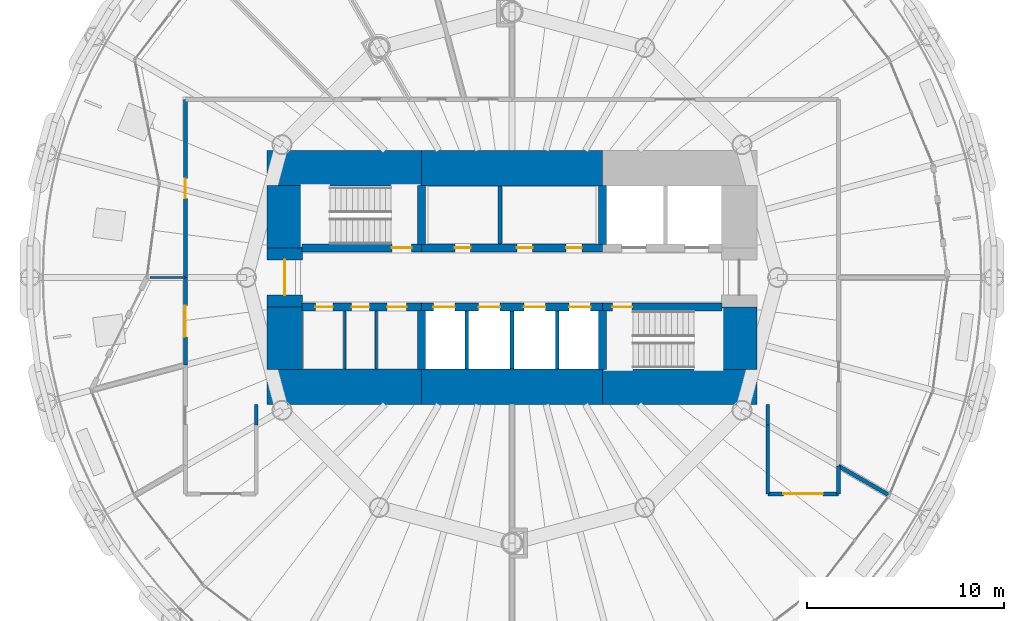
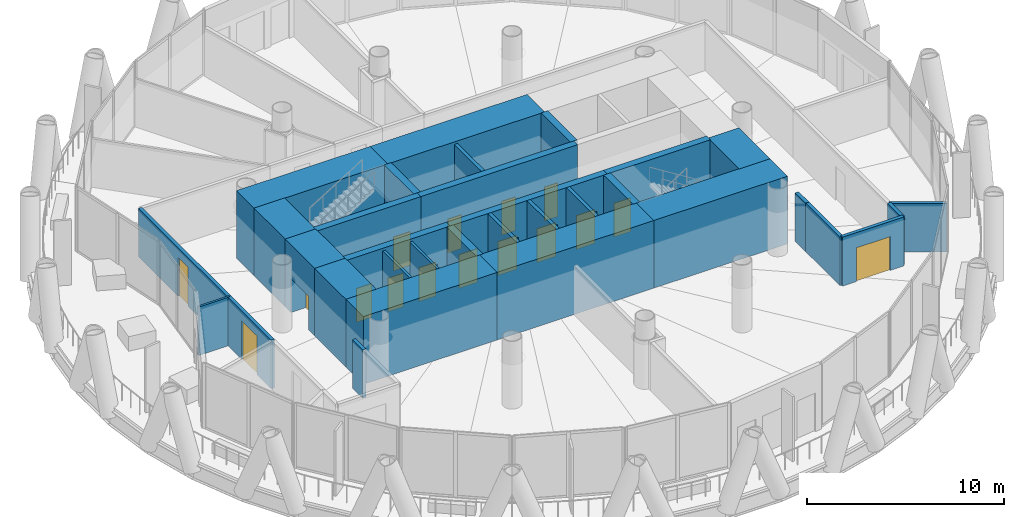
# One storey, part 10 of 16: 33 walls, 16 doors, 16 openings.
"""IFC4 building model written with IfcOpenShell, lengths in metres."""

import ifcopenshell
import ifcopenshell.guid

model = None  # the IFC model being written
_history = None  # IfcOwnerHistory: only IFC2X3 demands one
_inside = {}  # id of a spatial element -> (the spatial element, [elements in it])
_under = {}  # id of a project, library or spatial element -> (it, [spatial elements below it])
_declared = {}  # id of a project -> (the project, [libraries it declares])
_typed = {}  # id of a type object -> (the type object, [elements of that type])
_made_of = {}  # id of a material, layer set ... -> (it, [elements and type objects made of it])


def new_model(schema):
    """Start an empty IFC model of exactly this schema.

    Asked for "IFC4X3", IfcOpenShell would pick the latest addendum, in which some entities
    have other attributes; the version numbers below select the first issue.
    IFC2X3 requires an IfcOwnerHistory on every rooted entity: one is made here for all.
    """
    global model, _history
    if schema == "IFC4X3":
        model = ifcopenshell.file(schema_version=(4, 3, 0, 0))
    else:
        model = ifcopenshell.file(schema=schema)
    _inside.clear()
    _under.clear()
    _declared.clear()
    _typed.clear()
    _made_of.clear()
    _history = None
    if model.schema == "IFC2X3":
        org = make("IfcOrganization", Name="unknown")
        user = make(
            "IfcPersonAndOrganization",
            ThePerson=make("IfcPerson", FamilyName="unknown"),
            TheOrganization=org,
        )
        app = make(
            "IfcApplication",
            ApplicationDeveloper=org,
            Version="unknown",
            ApplicationFullName="unknown",
            ApplicationIdentifier="unknown",
        )
        _history = make(
            "IfcOwnerHistory",
            OwningUser=user,
            OwningApplication=app,
            ChangeAction="ADDED",
            CreationDate=0,
        )
    return model


def make(cls, **values):
    """One entity of the class cls with the attributes given. An attribute that is None is left unset."""
    return model.create_entity(
        cls, **{name: value for name, value in values.items() if value is not None}
    )


def rooted(cls, **values):
    """An entity with a GlobalId (a new one), such as an element, a storey or a relation."""
    return make(cls, GlobalId=ifcopenshell.guid.new(), OwnerHistory=_history, **values)


def si_unit(unit_type, name, prefix=None):
    """IfcSIUnit, for example si_unit("LENGTHUNIT", "METRE", prefix="MILLI")."""
    return make("IfcSIUnit", UnitType=unit_type, Prefix=prefix, Name=name)


def assignment(units):
    """IfcUnitAssignment: the units of a project."""
    return None if units is None else make("IfcUnitAssignment", Units=units)


def point(xyz):
    """IfcCartesianPoint."""
    return None if xyz is None else make("IfcCartesianPoint", Coordinates=xyz)


def direction(xyz):
    """IfcDirection."""
    return None if xyz is None else make("IfcDirection", DirectionRatios=xyz)


def frame(location, z_axis=None, x_axis=None):
    """IfcAxis2Placement3D, a coordinate frame: its origin and axes. An axis left out is left unset."""
    return make(
        "IfcAxis2Placement3D",
        Location=point(location),
        Axis=direction(z_axis),
        RefDirection=direction(x_axis),
    )


def frame_2d(location, x_axis=None):
    """IfcAxis2Placement2D, a coordinate frame in the plane: its origin and x axis."""
    return make(
        "IfcAxis2Placement2D", Location=point(location), RefDirection=direction(x_axis)
    )


def origin():
    """The frame at (0, 0, 0) with its axes left unset."""
    return frame((0.0, 0.0, 0.0))


def place(relative_to, where):
    """IfcLocalPlacement: puts the frame where relative to a parent placement (None: the world)."""
    return make(
        "IfcLocalPlacement", PlacementRelTo=relative_to, RelativePlacement=where
    )


def context(
    kind, dimensions, precision=None, world=None, true_north=None, identifier=None
):
    """IfcGeometricRepresentationContext, for example the 3D "Model" context."""
    return make(
        "IfcGeometricRepresentationContext",
        ContextIdentifier=identifier,
        ContextType=kind,
        CoordinateSpaceDimension=dimensions,
        Precision=precision,
        WorldCoordinateSystem=world,
        TrueNorth=true_north,
    )


def subcontext(parent, identifier, kind, view, scale=None):
    """IfcGeometricRepresentationSubContext, for example "Body" below "Model"."""
    return make(
        "IfcGeometricRepresentationSubContext",
        ContextIdentifier=identifier,
        ContextType=kind,
        ParentContext=parent,
        TargetScale=scale,
        TargetView=view,
    )


def project(units=None, contexts=None):
    """IfcProject with its units and contexts."""
    return rooted(
        "IfcProject",
        Name="project",
        RepresentationContexts=contexts,
        UnitsInContext=assignment(units),
    )


def spatial(cls, under=None, at=None, **own):
    """A site, building, storey or space (cls), placed at a placement, below another one or the project."""
    s = rooted(cls, ObjectPlacement=at, **own)
    if under is not None:
        _under.setdefault(under.id(), (under, []))[1].append(s)
    return s


def profile(cls, at=None, kind="AREA", **sizes):
    """A parametric profile (cls). Its sizes go by their IFC names, for example OverallWidth=200.0."""
    return make(cls, ProfileType=kind, Position=at, **sizes)


def rectangle(**sizes):
    """IfcRectangleProfileDef."""
    return profile("IfcRectangleProfileDef", **sizes)


def extrude(swept, where, along, depth):
    """IfcExtrudedAreaSolid: the profile swept, set in the frame where, extruded along a direction by depth."""
    return make(
        "IfcExtrudedAreaSolid",
        SweptArea=swept,
        Position=where,
        ExtrudedDirection=direction(along),
        Depth=depth,
    )


def shape(context_of_items, identifier, shape_type, items):
    """IfcShapeRepresentation: the items that make up one representation, for example the "Body"."""
    return make(
        "IfcShapeRepresentation",
        ContextOfItems=context_of_items,
        RepresentationIdentifier=identifier,
        RepresentationType=shape_type,
        Items=items,
    )


def material(Name=None, Category=None):
    """IfcMaterial."""
    return make("IfcMaterial", Name=Name, Category=Category)


def layer(
    of_material, thickness, ventilated=None, Name=None, Category=None, Priority=None
):
    """IfcMaterialLayer: one layer of a wall or slab, of a material (None: an air gap)."""
    return make(
        "IfcMaterialLayer",
        Material=of_material,
        LayerThickness=thickness,
        IsVentilated=ventilated,
        Name=Name,
        Category=Category,
        Priority=Priority,
    )


def layer_set(layers, Name=None):
    """IfcMaterialLayerSet."""
    return make("IfcMaterialLayerSet", MaterialLayers=layers, LayerSetName=Name)


def made_of(thing, what):
    """Note that an element or type object is made of a material, layer set ...; save() writes the relation."""
    if what is not None:
        _made_of.setdefault(what.id(), (what, []))[1].append(thing)
    return thing


def type_object(cls, material=None, **own):
    """A type object (cls), such as IfcWallType, which elements share."""
    return made_of(rooted(cls, **own), material)


def element(
    cls,
    number,
    at=None,
    inside=None,
    cuts=None,
    type_object=None,
    material=None,
    context=None,
    identifier="Body",
    shape_type=None,
    held_by="IfcProductDefinitionShape",
    body=None,
    shapes=None,
    **own,
):
    """One element of the class cls, such as IfcWall. Its Tag is "e" and its number.

    at: its placement. inside: the storey or other place that contains it. cuts: it is an
    opening in that element (IfcRelVoidsElement). A single representation is given by context,
    identifier, shape_type and body (its items); several are given by shapes. held_by: the class
    of the entity that holds the representations. save() writes the other relations.
    """
    e = rooted(cls, Tag="e%d" % number, ObjectPlacement=at, **own)
    if body is not None:
        shapes = [shape(context, identifier, shape_type, body)]
    if shapes is not None:
        e.Representation = make(held_by, Representations=shapes)
    if inside is not None:
        _inside.setdefault(inside.id(), (inside, []))[1].append(e)
    if cuts is not None:
        rooted(
            "IfcRelVoidsElement", RelatingBuildingElement=cuts, RelatedOpeningElement=e
        )
    if type_object is not None:
        _typed.setdefault(type_object.id(), (type_object, []))[1].append(e)
    return made_of(e, material)


def fill(opening, filler):
    """IfcRelFillsElement: the door or window that sits in an opening."""
    return rooted(
        "IfcRelFillsElement",
        RelatingOpeningElement=opening,
        RelatedBuildingElement=filler,
    )


def aggregate(whole, parts):
    """IfcRelAggregates: a whole, such as a stair, and the parts it consists of."""
    return rooted("IfcRelAggregates", RelatingObject=whole, RelatedObjects=parts)


def save(model, path):
    """Write the relations noted so far, then the file.

    IfcRelAggregates (storeys below a building ...), IfcRelContainedInSpatialStructure (elements
    in a storey), IfcRelDefinesByType, IfcRelAssociatesMaterial and IfcRelDeclares: one each for
    every whole, place, type object, material and project.
    """
    for whole, parts in _under.values():
        aggregate(whole, parts)
    for where, things in _inside.values():
        rooted(
            "IfcRelContainedInSpatialStructure",
            RelatedElements=things,
            RelatingStructure=where,
        )
    for kind, things in _typed.values():
        rooted("IfcRelDefinesByType", RelatedObjects=things, RelatingType=kind)
    for what, things in _made_of.values():
        rooted("IfcRelAssociatesMaterial", RelatedObjects=things, RelatingMaterial=what)
    for by, libraries in _declared.values():
        rooted("IfcRelDeclares", RelatingContext=by, RelatedDefinitions=libraries)
    model.write(path)


model = new_model("IFC4")

# Units and contexts
model_context = context("Model", 3, precision=1e-05, world=origin(), true_north=direction((0.0, 1.0)))
body_context = subcontext(model_context, "Body", "Model", "MODEL_VIEW")
ifc_project = project(units=[si_unit("LENGTHUNIT", "METRE"), si_unit("AREAUNIT", "SQUARE_METRE"), si_unit("VOLUMEUNIT", "CUBIC_METRE"), si_unit("PLANEANGLEUNIT", "RADIAN"), si_unit("MASSUNIT", "GRAM", prefix="KILO")], contexts=[model_context])

# Site, building, storey
site_placement = place(None, origin())
site = spatial("IfcSite", under=ifc_project, at=site_placement, CompositionType="ELEMENT")
building_placement = place(site_placement, origin())
building = spatial("IfcBuilding", under=site, at=building_placement, Name="Qaws Media Tower", CompositionType="ELEMENT")
storey_placement = place(building_placement, frame((0.0, 0.0, 173.0)))
storey = spatial("IfcBuildingStorey", under=building, at=storey_placement, Name="L39", CompositionType="ELEMENT", Elevation=173.0)

# Wall, opening, door
ifc_material_1 = material(Name="Concrete C60/75", Category="concrete")
ifc_layer_1 = layer(ifc_material_1, 0.39990234375)
ifc_layer_set_1 = layer_set([ifc_layer_1], Name="Core inner wall 400")
wall_type_1 = type_object("IfcWallType", Name="Core inner wall 400", PredefinedType="SHEAR", material=ifc_layer_set_1)
wall_1_placement = place(storey_placement, frame((49.330078125, 51.5, 0.0), z_axis=(0.0, 0.0, 1.0), x_axis=(1.0, 0.0, 0.0)))
wall_1 = element("IfcWall", 1, at=wall_1_placement, inside=storey, type_object=wall_type_1, Name="W321 SW4 core wall SPNW L39", PredefinedType="SHEAR", context=body_context, shape_type="SweptSolid", body=[
    extrude(rectangle(XDim=6.06982421875, YDim=0.39990234375, at=frame_2d((3.034912109375, 0.0))), origin(), (0.0, 0.0, 1.0), 4.199951171875),
])
opening_1_placement = place(wall_1_placement, frame((4.570068359375, 0.0, 0.0)))
opening_1 = element("IfcOpeningElement", 2, at=opening_1_placement, cuts=wall_1, Name="Opening D1", PredefinedType="OPENING", context=body_context, shape_type="SweptSolid", body=[
    extrude(rectangle(XDim=1.0, YDim=2.10009765625, at=frame_2d((0.5, 1.050048828125))), frame((0.0, 0.2099609375, 0.0), z_axis=(0.0, -1.0, 0.0), x_axis=(1.0, 0.0, 0.0)), (0.0, 0.0, 1.0), 0.419921875),
])
ifc_material_2 = material(Name="Steel, fire rated", Category="steel")
door_type_1 = type_object("IfcDoorType", Name="Stair door 1000 FD120", OperationType="SINGLE_SWING_LEFT", PredefinedType="DOOR", material=ifc_material_2)
door_1_placement = place(opening_1_placement, origin())
door_1 = element("IfcDoor", 3, at=door_1_placement, inside=storey, type_object=door_type_1, Name="D1 stair S1 door L39 in wall W321", OperationType="SINGLE_SWING_LEFT", OverallHeight=2.10009765625, OverallWidth=1.0, PredefinedType="DOOR", context=body_context, shape_type="SweptSolid", body=[
    extrude(rectangle(XDim=1.0, YDim=2.10009765625, at=frame_2d((0.5, 1.050048828125))), frame((0.0, 0.02490234375, 0.0), z_axis=(0.0, -1.0, 0.0), x_axis=(1.0, 0.0, 0.0)), (0.0, 0.0, 1.0), 0.050048828125),
])
fill(opening_1, door_1)

# Wall, openings, doors
wall_2_placement = place(storey_placement, frame((55.39990234375, 51.5, 0.0), z_axis=(0.0, 0.0, 1.0), x_axis=(1.0, 0.0, 0.0)))
wall_2 = element("IfcWall", 4, at=wall_2_placement, inside=storey, type_object=wall_type_1, Name="W314 SW4 core wall SPN L39", PredefinedType="SHEAR", context=body_context, shape_type="SweptSolid", body=[
    extrude(rectangle(XDim=9.2001953125, YDim=0.39990234375, at=frame_2d((4.60009765625, 0.0))), origin(), (0.0, 0.0, 1.0), 4.199951171875),
])
opening_2_placement = place(wall_2_placement, frame((1.699951171875, 0.0, 0.0)))
opening_2 = element("IfcOpeningElement", 5, at=opening_2_placement, cuts=wall_2, Name="Opening D23", PredefinedType="OPENING", context=body_context, shape_type="SweptSolid", body=[
    extrude(rectangle(XDim=0.800048828125, YDim=2.10009765625, at=frame_2d((0.39990234375, 1.050048828125))), frame((0.0, 0.2099609375, 0.0), z_axis=(0.0, -1.0, 0.0), x_axis=(1.0, 0.0, 0.0)), (0.0, 0.0, 1.0), 0.419921875),
])
opening_3_placement = place(wall_2_placement, frame((4.85009765625, 0.0, 0.0)))
opening_3 = element("IfcOpeningElement", 6, at=opening_3_placement, cuts=wall_2, Name="Opening D23", PredefinedType="OPENING", context=body_context, shape_type="SweptSolid", body=[
    extrude(rectangle(XDim=0.800048828125, YDim=2.10009765625, at=frame_2d((0.39990234375, 1.050048828125))), frame((0.0, 0.2099609375, 0.0), z_axis=(0.0, -1.0, 0.0), x_axis=(1.0, 0.0, 0.0)), (0.0, 0.0, 1.0), 0.419921875),
])
opening_4_placement = place(wall_2_placement, frame((7.35009765625, 0.0, 0.0)))
opening_4 = element("IfcOpeningElement", 7, at=opening_4_placement, cuts=wall_2, Name="Opening D23", PredefinedType="OPENING", context=body_context, shape_type="SweptSolid", body=[
    extrude(rectangle(XDim=0.800048828125, YDim=2.10009765625, at=frame_2d((0.39990234375, 1.050048828125))), frame((0.0, 0.2099609375, 0.0), z_axis=(0.0, -1.0, 0.0), x_axis=(1.0, 0.0, 0.0)), (0.0, 0.0, 1.0), 0.419921875),
])
ifc_material_3 = material(Name="Steel, fire rated", Category="steel")
door_type_2 = type_object("IfcDoorType", Name="Core room door 800x2100", OperationType="SINGLE_SWING_LEFT", PredefinedType="DOOR", material=ifc_material_3)
door_2_placement = place(opening_2_placement, origin())
door_2 = element("IfcDoor", 8, at=door_2_placement, inside=storey, type_object=door_type_2, Name="D23 Gents toilets door L39 in wall W314", OperationType="SINGLE_SWING_LEFT", OverallHeight=2.10009765625, OverallWidth=0.800048828125, PredefinedType="DOOR", context=body_context, shape_type="SweptSolid", body=[
    extrude(rectangle(XDim=0.800048828125, YDim=2.10009765625, at=frame_2d((0.39990234375, 1.050048828125))), frame((0.0, 0.02490234375, 0.0), z_axis=(0.0, -1.0, 0.0), x_axis=(1.0, 0.0, 0.0)), (0.0, 0.0, 1.0), 0.050048828125),
])
fill(opening_2, door_2)
door_3_placement = place(opening_3_placement, origin())
door_3 = element("IfcDoor", 9, at=door_3_placement, inside=storey, type_object=door_type_2, Name="D23 Ladies toilets door L39 2 in wall W314", OperationType="SINGLE_SWING_LEFT", OverallHeight=2.10009765625, OverallWidth=0.800048828125, PredefinedType="DOOR", context=body_context, shape_type="SweptSolid", body=[
    extrude(rectangle(XDim=0.800048828125, YDim=2.10009765625, at=frame_2d((0.39990234375, 1.050048828125))), frame((0.0, 0.02490234375, 0.0), z_axis=(0.0, -1.0, 0.0), x_axis=(1.0, 0.0, 0.0)), (0.0, 0.0, 1.0), 0.050048828125),
])
fill(opening_3, door_3)
door_4_placement = place(opening_4_placement, origin())
door_4 = element("IfcDoor", 10, at=door_4_placement, inside=storey, type_object=door_type_2, Name="D23 Ladies toilets door L39 3 in wall W314", OperationType="SINGLE_SWING_LEFT", OverallHeight=2.10009765625, OverallWidth=0.800048828125, PredefinedType="DOOR", context=body_context, shape_type="SweptSolid", body=[
    extrude(rectangle(XDim=0.800048828125, YDim=2.10009765625, at=frame_2d((0.39990234375, 1.050048828125))), frame((0.0, 0.02490234375, 0.0), z_axis=(0.0, -1.0, 0.0), x_axis=(1.0, 0.0, 0.0)), (0.0, 0.0, 1.0), 0.050048828125),
])
fill(opening_4, door_4)

wall_3_placement = place(storey_placement, frame((49.330078125, 48.5, 0.0), z_axis=(0.0, 0.0, 1.0), x_axis=(1.0, 0.0, 0.0)))
wall_3 = element("IfcWall", 11, at=wall_3_placement, inside=storey, type_object=wall_type_1, Name="W320 SW4 core wall SPSW L39", PredefinedType="SHEAR", context=body_context, shape_type="SweptSolid", body=[
    extrude(rectangle(XDim=6.06982421875, YDim=0.39990234375, at=frame_2d((3.034912109375, 0.0))), origin(), (0.0, 0.0, 1.0), 4.199951171875),
])
opening_5_placement = place(wall_3_placement, frame((0.669921875, 0.0, 0.0)))
opening_5 = element("IfcOpeningElement", 12, at=opening_5_placement, cuts=wall_3, Name="Opening D3", PredefinedType="OPENING", context=body_context, shape_type="SweptSolid", body=[
    extrude(rectangle(XDim=0.89990234375, YDim=2.10009765625, at=frame_2d((0.449951171875, 1.050048828125))), frame((0.0, 0.2099609375, 0.0), z_axis=(0.0, -1.0, 0.0), x_axis=(1.0, 0.0, 0.0)), (0.0, 0.0, 1.0), 0.419921875),
])
opening_6_placement = place(wall_3_placement, frame((2.52001953125, 0.0, 0.0)))
opening_6 = element("IfcOpeningElement", 13, at=opening_6_placement, cuts=wall_3, Name="Opening D25", PredefinedType="OPENING", context=body_context, shape_type="SweptSolid", body=[
    extrude(rectangle(XDim=0.89990234375, YDim=2.10009765625, at=frame_2d((0.449951171875, 1.050048828125))), frame((0.0, 0.2099609375, 0.0), z_axis=(0.0, -1.0, 0.0), x_axis=(1.0, 0.0, 0.0)), (0.0, 0.0, 1.0), 0.419921875),
])
opening_7_placement = place(wall_3_placement, frame((4.320068359375, 0.0, 0.0)))
opening_7 = element("IfcOpeningElement", 14, at=opening_7_placement, cuts=wall_3, Name="Opening D4", PredefinedType="OPENING", context=body_context, shape_type="SweptSolid", body=[
    extrude(rectangle(XDim=1.0, YDim=2.10009765625, at=frame_2d((0.5, 1.050048828125))), frame((0.0, 0.2099609375, 0.0), z_axis=(0.0, -1.0, 0.0), x_axis=(1.0, 0.0, 0.0)), (0.0, 0.0, 1.0), 0.419921875),
])
ifc_material_4 = material(Name="Timber veneered", Category="wood")
door_type_3 = type_object("IfcDoorType", Name="Accessible WC door 1000", OperationType="SLIDING_TO_LEFT", PredefinedType="DOOR", material=ifc_material_4)
door_5_placement = place(opening_7_placement, origin())
door_5 = element("IfcDoor", 15, at=door_5_placement, inside=storey, type_object=door_type_3, Name="D4 toilet door 3 L39 in wall W320", OperationType="SLIDING_TO_LEFT", OverallHeight=2.10009765625, OverallWidth=1.0, PredefinedType="DOOR", context=body_context, shape_type="SweptSolid", body=[
    extrude(rectangle(XDim=1.0, YDim=2.10009765625, at=frame_2d((0.5, 1.050048828125))), frame((0.0, 0.02490234375, 0.0), z_axis=(0.0, -1.0, 0.0), x_axis=(1.0, 0.0, 0.0)), (0.0, 0.0, 1.0), 0.050048828125),
])
fill(opening_7, door_5)
ifc_material_5 = material(Name="Steel, fire rated", Category="steel")
door_type_4 = type_object("IfcDoorType", Name="Core service door 900", OperationType="SINGLE_SWING_RIGHT", PredefinedType="DOOR", material=ifc_material_5)
door_6_placement = place(opening_6_placement, origin())
door_6 = element("IfcDoor", 16, at=door_6_placement, inside=storey, type_object=door_type_4, Name="D25 toilet door 2 L39 in wall W320", OperationType="SINGLE_SWING_RIGHT", OverallHeight=2.10009765625, OverallWidth=0.89990234375, PredefinedType="DOOR", context=body_context, shape_type="SweptSolid", body=[
    extrude(rectangle(XDim=0.89990234375, YDim=2.10009765625, at=frame_2d((0.449951171875, 1.050048828125))), frame((0.0, 0.02490234375, 0.0), z_axis=(0.0, -1.0, 0.0), x_axis=(1.0, 0.0, 0.0)), (0.0, 0.0, 1.0), 0.050048828125),
])
fill(opening_6, door_6)
ifc_material_6 = material(Name="Timber veneered", Category="wood")
door_type_5 = type_object("IfcDoorType", Name="Toilet door 900", OperationType="SINGLE_SWING_RIGHT", PredefinedType="DOOR", material=ifc_material_6)
door_7_placement = place(opening_5_placement, origin())
door_7 = element("IfcDoor", 17, at=door_7_placement, inside=storey, type_object=door_type_5, Name="D3 toilet door 1 L39 in wall W320", OperationType="SINGLE_SWING_RIGHT", OverallHeight=2.10009765625, OverallWidth=0.89990234375, PredefinedType="DOOR", context=body_context, shape_type="SweptSolid", body=[
    extrude(rectangle(XDim=0.89990234375, YDim=2.10009765625, at=frame_2d((0.449951171875, 1.050048828125))), frame((0.0, 0.02490234375, 0.0), z_axis=(0.0, -1.0, 0.0), x_axis=(1.0, 0.0, 0.0)), (0.0, 0.0, 1.0), 0.050048828125),
])
fill(opening_5, door_7)

wall_4_placement = place(storey_placement, frame((55.39990234375, 48.5, 0.0), z_axis=(0.0, 0.0, 1.0), x_axis=(1.0, 0.0, 0.0)))
wall_4 = element("IfcWall", 18, at=wall_4_placement, inside=storey, type_object=wall_type_1, Name="W313 SW4 core wall SPS L39", PredefinedType="SHEAR", context=body_context, shape_type="SweptSolid", body=[
    extrude(rectangle(XDim=9.2001953125, YDim=0.39990234375, at=frame_2d((4.60009765625, 0.0))), origin(), (0.0, 0.0, 1.0), 4.199951171875),
])
opening_8_placement = place(wall_4_placement, frame((0.60009765625, 0.0, 0.0)))
opening_8 = element("IfcOpeningElement", 19, at=opening_8_placement, cuts=wall_4, Name="Opening LD", PredefinedType="OPENING", context=body_context, shape_type="SweptSolid", body=[
    extrude(rectangle(XDim=1.10009765625, YDim=2.10009765625, at=frame_2d((0.550048828125, 1.050048828125))), frame((0.0, 0.2099609375, 0.0), z_axis=(0.0, -1.0, 0.0), x_axis=(1.0, 0.0, 0.0)), (0.0, 0.0, 1.0), 0.419921875),
])
opening_9_placement = place(wall_4_placement, frame((2.89990234375, 0.0, 0.0)))
opening_9 = element("IfcOpeningElement", 20, at=opening_9_placement, cuts=wall_4, Name="Opening LD", PredefinedType="OPENING", context=body_context, shape_type="SweptSolid", body=[
    extrude(rectangle(XDim=1.10009765625, YDim=2.10009765625, at=frame_2d((0.550048828125, 1.050048828125))), frame((0.0, 0.2099609375, 0.0), z_axis=(0.0, -1.0, 0.0), x_axis=(1.0, 0.0, 0.0)), (0.0, 0.0, 1.0), 0.419921875),
])
opening_10_placement = place(wall_4_placement, frame((5.199951171875, 0.0, 0.0)))
opening_10 = element("IfcOpeningElement", 21, at=opening_10_placement, cuts=wall_4, Name="Opening LD", PredefinedType="OPENING", context=body_context, shape_type="SweptSolid", body=[
    extrude(rectangle(XDim=1.10009765625, YDim=2.10009765625, at=frame_2d((0.550048828125, 1.050048828125))), frame((0.0, 0.2099609375, 0.0), z_axis=(0.0, -1.0, 0.0), x_axis=(1.0, 0.0, 0.0)), (0.0, 0.0, 1.0), 0.419921875),
])
opening_11_placement = place(wall_4_placement, frame((7.5, 0.0, 0.0)))
opening_11 = element("IfcOpeningElement", 22, at=opening_11_placement, cuts=wall_4, Name="Opening LD", PredefinedType="OPENING", context=body_context, shape_type="SweptSolid", body=[
    extrude(rectangle(XDim=1.10009765625, YDim=2.10009765625, at=frame_2d((0.550048828125, 1.050048828125))), frame((0.0, 0.2099609375, 0.0), z_axis=(0.0, -1.0, 0.0), x_axis=(1.0, 0.0, 0.0)), (0.0, 0.0, 1.0), 0.419921875),
])
ifc_material_7 = material(Name="Steel, fire rated", Category="steel")
door_type_6 = type_object("IfcDoorType", Name="Lift landing door 1100", OperationType="SLIDING_TO_LEFT", PredefinedType="DOOR", material=ifc_material_7)
door_8_placement = place(opening_8_placement, origin())
door_8 = element("IfcDoor", 23, at=door_8_placement, inside=storey, type_object=door_type_6, Name="P5 landing door L39 in wall W313", OperationType="SLIDING_TO_LEFT", OverallHeight=2.10009765625, OverallWidth=1.10009765625, PredefinedType="DOOR", context=body_context, shape_type="SweptSolid", body=[
    extrude(rectangle(XDim=1.10009765625, YDim=2.10009765625, at=frame_2d((0.550048828125, 1.050048828125))), frame((0.0, 0.02490234375, 0.0), z_axis=(0.0, -1.0, 0.0), x_axis=(1.0, 0.0, 0.0)), (0.0, 0.0, 1.0), 0.050048828125),
])
fill(opening_8, door_8)
door_9_placement = place(opening_9_placement, origin())
door_9 = element("IfcDoor", 24, at=door_9_placement, inside=storey, type_object=door_type_6, Name="P6 landing door L39 in wall W313", OperationType="SLIDING_TO_LEFT", OverallHeight=2.10009765625, OverallWidth=1.10009765625, PredefinedType="DOOR", context=body_context, shape_type="SweptSolid", body=[
    extrude(rectangle(XDim=1.10009765625, YDim=2.10009765625, at=frame_2d((0.550048828125, 1.050048828125))), frame((0.0, 0.02490234375, 0.0), z_axis=(0.0, -1.0, 0.0), x_axis=(1.0, 0.0, 0.0)), (0.0, 0.0, 1.0), 0.050048828125),
])
fill(opening_9, door_9)
door_10_placement = place(opening_10_placement, origin())
door_10 = element("IfcDoor", 25, at=door_10_placement, inside=storey, type_object=door_type_6, Name="P7 landing door L39 in wall W313", OperationType="SLIDING_TO_LEFT", OverallHeight=2.10009765625, OverallWidth=1.10009765625, PredefinedType="DOOR", context=body_context, shape_type="SweptSolid", body=[
    extrude(rectangle(XDim=1.10009765625, YDim=2.10009765625, at=frame_2d((0.550048828125, 1.050048828125))), frame((0.0, 0.02490234375, 0.0), z_axis=(0.0, -1.0, 0.0), x_axis=(1.0, 0.0, 0.0)), (0.0, 0.0, 1.0), 0.050048828125),
])
fill(opening_10, door_10)
door_11_placement = place(opening_11_placement, origin())
door_11 = element("IfcDoor", 26, at=door_11_placement, inside=storey, type_object=door_type_6, Name="P8 landing door L39 in wall W313", OperationType="SLIDING_TO_LEFT", OverallHeight=2.10009765625, OverallWidth=1.10009765625, PredefinedType="DOOR", context=body_context, shape_type="SweptSolid", body=[
    extrude(rectangle(XDim=1.10009765625, YDim=2.10009765625, at=frame_2d((0.550048828125, 1.050048828125))), frame((0.0, 0.02490234375, 0.0), z_axis=(0.0, -1.0, 0.0), x_axis=(1.0, 0.0, 0.0)), (0.0, 0.0, 1.0), 0.050048828125),
])
fill(opening_11, door_11)

# Wall, opening, door
wall_5_placement = place(storey_placement, frame((64.60009765625, 48.5, 0.0), z_axis=(0.0, 0.0, 1.0), x_axis=(1.0, 0.0, 0.0)))
wall_5 = element("IfcWall", 27, at=wall_5_placement, inside=storey, type_object=wall_type_1, Name="W325 SW4 core wall SPSE L39", PredefinedType="SHEAR", context=body_context, shape_type="SweptSolid", body=[
    extrude(rectangle(XDim=6.06982421875, YDim=0.39990234375, at=frame_2d((3.034912109375, 0.0))), origin(), (0.0, 0.0, 1.0), 4.199951171875),
])
opening_12_placement = place(wall_5_placement, frame((0.5, 0.0, 0.0)))
opening_12 = element("IfcOpeningElement", 28, at=opening_12_placement, cuts=wall_5, Name="Opening D1", PredefinedType="OPENING", context=body_context, shape_type="SweptSolid", body=[
    extrude(rectangle(XDim=1.0, YDim=2.10009765625, at=frame_2d((0.5, 1.050048828125))), frame((0.0, 0.2099609375, 0.0), z_axis=(0.0, -1.0, 0.0), x_axis=(1.0, 0.0, 0.0)), (0.0, 0.0, 1.0), 0.419921875),
])
door_12_placement = place(opening_12_placement, origin())
door_12 = element("IfcDoor", 29, at=door_12_placement, inside=storey, type_object=door_type_1, Name="D1 stair S2 door L39 in wall W325", OperationType="SINGLE_SWING_LEFT", OverallHeight=2.10009765625, OverallWidth=1.0, PredefinedType="DOOR", context=body_context, shape_type="SweptSolid", body=[
    extrude(rectangle(XDim=1.0, YDim=2.10009765625, at=frame_2d((0.5, 1.050048828125))), frame((0.0, 0.02490234375, 0.0), z_axis=(0.0, -1.0, 0.0), x_axis=(1.0, 0.0, 0.0)), (0.0, 0.0, 1.0), 0.050048828125),
])
fill(opening_12, door_12)

# Walls
for number, where, z_axis, x_axis, name in (
    (30, (55.39990234375, 51.679931640625, 0.0), (0.0, 0.0, 1.0), (0.0, 1.0, 0.0), "W323 SW4 core wall XNW L39"),
    (31, (64.60009765625, 51.679931640625, 0.0), (0.0, 0.0, 1.0), (0.0, 1.0, 0.0), "W327 SW4 core wall XNE L39"),
    (32, (55.39990234375, 48.320068359375, 0.0), (0.0, 0.0, 1.0), (0.0, -1.0, 0.0), "W322 SW4 core wall XSW L39"),
    (33, (64.60009765625, 48.320068359375, 0.0), (0.0, 0.0, 1.0), (0.0, -1.0, 0.0), "W324 SW4 core wall XSE L39"),
):
    element("IfcWall", number, at=place(storey_placement, frame(where, z_axis=z_axis, x_axis=x_axis)), inside=storey, type_object=wall_type_1, Name=name, PredefinedType="SHEAR", context=body_context, shape_type="SweptSolid", body=[
        extrude(rectangle(XDim=2.989990234375, YDim=0.39990234375, at=frame_2d((1.4951171875, 0.0))), origin(), (0.0, 0.0, 1.0), 4.199951171875),
    ])
ifc_material_8 = material(Name="Concrete C60/75", Category="concrete")
ifc_layer_2 = layer(ifc_material_8, 1.800048828125)
ifc_layer_set_2 = layer_set([ifc_layer_2], Name="Core wall 1800")
wall_type_2 = type_object("IfcWallType", Name="Core wall 1800", PredefinedType="SHEAR", material=ifc_layer_set_2)
wall_6_placement = place(storey_placement, frame((47.550048828125, 55.550048828125, 0.0), z_axis=(0.0, 0.0, 1.0), x_axis=(1.0, 0.0, 0.0)))
element("IfcWall", 34, at=wall_6_placement, inside=storey, type_object=wall_type_2, Name="W417 SW11 core wall NW L39", PredefinedType="SHEAR", context=body_context, shape_type="SweptSolid", body=[
    extrude(rectangle(XDim=7.849853515625, YDim=1.800048828125, at=frame_2d((3.9248046875, 0.0))), origin(), (0.0, 0.0, 1.0), 4.199951171875),
])
wall_7_placement = place(storey_placement, frame((55.39990234375, 55.550048828125, 0.0), z_axis=(0.0, 0.0, 1.0), x_axis=(1.0, 0.0, 0.0)))
element("IfcWall", 35, at=wall_7_placement, inside=storey, type_object=wall_type_2, Name="W421 SW11 core wall N L39", PredefinedType="SHEAR", context=body_context, shape_type="SweptSolid", body=[
    extrude(rectangle(XDim=9.2001953125, YDim=1.800048828125, at=frame_2d((4.60009765625, 0.0))), origin(), (0.0, 0.0, 1.0), 4.199951171875),
])
wall_8_placement = place(storey_placement, frame((47.550048828125, 44.449951171875, 0.0), z_axis=(0.0, 0.0, 1.0), x_axis=(1.0, 0.0, 0.0)))
element("IfcWall", 36, at=wall_8_placement, inside=storey, type_object=wall_type_2, Name="W416 SW11 core wall SW L39", PredefinedType="SHEAR", context=body_context, shape_type="SweptSolid", body=[
    extrude(rectangle(XDim=7.849853515625, YDim=1.800048828125, at=frame_2d((3.9248046875, 0.0))), origin(), (0.0, 0.0, 1.0), 4.199951171875),
])
wall_9_placement = place(storey_placement, frame((55.39990234375, 44.449951171875, 0.0), z_axis=(0.0, 0.0, 1.0), x_axis=(1.0, 0.0, 0.0)))
element("IfcWall", 37, at=wall_9_placement, inside=storey, type_object=wall_type_2, Name="W420 SW11 core wall S L39", PredefinedType="SHEAR", context=body_context, shape_type="SweptSolid", body=[
    extrude(rectangle(XDim=9.2001953125, YDim=1.800048828125, at=frame_2d((4.60009765625, 0.0))), origin(), (0.0, 0.0, 1.0), 4.199951171875),
])
wall_10_placement = place(storey_placement, frame((64.60009765625, 44.449951171875, 0.0), z_axis=(0.0, 0.0, 1.0), x_axis=(1.0, 0.0, 0.0)))
element("IfcWall", 38, at=wall_10_placement, inside=storey, type_object=wall_type_2, Name="W422 SW11 core wall SE L39", PredefinedType="SHEAR", context=body_context, shape_type="SweptSolid", body=[
    extrude(rectangle(XDim=7.849853515625, YDim=1.800048828125, at=frame_2d((3.9248046875, 0.0))), origin(), (0.0, 0.0, 1.0), 4.199951171875),
])
for number, where, z_axis, x_axis, name in (
    (39, (71.550048828125, 45.330078125, 0.0), (0.0, 0.0, 1.0), (0.0, 1.0, 0.0), "W424 SW11 core wall ES L39"),
    (40, (48.449951171875, 45.330078125, 0.0), (0.0, 0.0, 1.0), (0.0, 1.0, 0.0), "W418 SW11 core wall WS L39"),
):
    element("IfcWall", number, at=place(storey_placement, frame(where, z_axis=z_axis, x_axis=x_axis)), inside=storey, type_object=wall_type_2, Name=name, PredefinedType="SHEAR", context=body_context, shape_type="SweptSolid", body=[
        extrude(rectangle(XDim=3.169921875, YDim=1.800048828125, at=frame_2d((1.5849609375, 0.0))), origin(), (0.0, 0.0, 1.0), 4.199951171875),
    ])

# Wall, opening, door
wall_11_placement = place(storey_placement, frame((48.449951171875, 48.5, 0.0), z_axis=(0.0, 0.0, 1.0), x_axis=(0.0, 1.0, 0.0)))
wall_11 = element("IfcWall", 41, at=wall_11_placement, inside=storey, type_object=wall_type_2, Name="W426 SW11 core wall W L39", PredefinedType="SHEAR", context=body_context, shape_type="SweptSolid", body=[
    extrude(rectangle(XDim=3.0, YDim=1.800048828125, at=frame_2d((1.5, 0.0))), origin(), (0.0, 0.0, 1.0), 4.199951171875),
])
opening_13_placement = place(wall_11_placement, frame((0.60009765625, 0.0, 0.0)))
opening_13 = element("IfcOpeningElement", 42, at=opening_13_placement, cuts=wall_11, Name="Opening D2", PredefinedType="OPENING", context=body_context, shape_type="SweptSolid", body=[
    extrude(rectangle(XDim=1.800048828125, YDim=2.10009765625, at=frame_2d((0.89990234375, 1.050048828125))), frame((0.0, 0.909912109375, 0.0), z_axis=(0.0, -1.0, 0.0), x_axis=(1.0, 0.0, 0.0)), (0.0, 0.0, 1.0), 1.820068359375),
])
ifc_material_9 = material(Name="Steel and glass, fire rated", Category="steel")
door_type_7 = type_object("IfcDoorType", Name="Lobby door pair 1800 FD60", OperationType="DOUBLE_DOOR_DOUBLE_SWING", PredefinedType="DOOR", material=ifc_material_9)
door_13_placement = place(opening_13_placement, origin())
door_13 = element("IfcDoor", 43, at=door_13_placement, inside=storey, type_object=door_type_7, Name="D2 core lobby door W L39 in wall W426", OperationType="DOUBLE_DOOR_DOUBLE_SWING", OverallHeight=2.10009765625, OverallWidth=1.800048828125, PredefinedType="DOOR", context=body_context, shape_type="SweptSolid", body=[
    extrude(rectangle(XDim=1.800048828125, YDim=2.10009765625, at=frame_2d((0.89990234375, 1.050048828125))), frame((0.0, 0.02490234375, 0.0), z_axis=(0.0, -1.0, 0.0), x_axis=(1.0, 0.0, 0.0)), (0.0, 0.0, 1.0), 0.050048828125),
])
fill(opening_13, door_13)

# Walls
wall_12_placement = place(storey_placement, frame((48.449951171875, 51.5, 0.0), z_axis=(0.0, 0.0, 1.0), x_axis=(0.0, 1.0, 0.0)))
element("IfcWall", 44, at=wall_12_placement, inside=storey, type_object=wall_type_2, Name="W419 SW11 core wall WN L39", PredefinedType="SHEAR", context=body_context, shape_type="SweptSolid", body=[
    extrude(rectangle(XDim=3.169921875, YDim=1.800048828125, at=frame_2d((1.5849609375, 0.0))), origin(), (0.0, 0.0, 1.0), 4.199951171875),
])
ifc_material_10 = material(Name="Two layers gypsum board each side on 75 studs, insulated", Category="gypsum")
ifc_layer_3 = layer(ifc_material_10, 0.125)
ifc_layer_set_3 = layer_set([ifc_layer_3], Name="Meeting room partition 125 Rw 48")
wall_type_3 = type_object("IfcWallType", Name="Meeting room partition 125 Rw 48", PredefinedType="PARTITIONING", material=ifc_layer_set_3)
wall_13_placement = place(storey_placement, frame((43.39990234375, 50.0, 0.0), z_axis=(0.0, 0.0, 1.0), x_axis=(-1.0, 0.0, 0.0)))
element("IfcWall", 45, at=wall_13_placement, inside=storey, type_object=wall_type_3, Name="W584 IW5 partition L39", PredefinedType="PARTITIONING", context=body_context, shape_type="SweptSolid", body=[
    extrude(rectangle(XDim=1.809814453125, YDim=0.125, at=frame_2d((0.90478515625, 0.0))), origin(), (0.0, 0.0, 1.0), 3.011962890625),
])
ifc_material_11 = material(Name="Gypsum board on galvanised metal studs, acoustic double stud, deflection head", Category="gypsum")
ifc_layer_4 = layer(ifc_material_11, 0.199951171875)
ifc_layer_set_4 = layer_set([ifc_layer_4], Name="Room partition 200")
wall_type_4 = type_object("IfcWallType", Name="Room partition 200", PredefinedType="PARTITIONING", material=ifc_layer_set_4)
wall_14_placement = place(storey_placement, frame((76.60009765625, 40.416015625, 0.0), z_axis=(0.0, 0.0, 1.0), x_axis=(0.0, -1.0, 0.0)))
element("IfcWall", 46, at=wall_14_placement, inside=storey, type_object=wall_type_4, Name="W1400 IW3 partition L39", PredefinedType="PARTITIONING", context=body_context, shape_type="SweptSolid", body=[
    extrude(rectangle(XDim=1.416015625, YDim=0.199951171875, at=frame_2d((0.7080078125, 0.0))), origin(), (0.0, 0.0, 1.0), 3.011962890625),
])

# Wall, opening, door
wall_15_placement = place(storey_placement, frame((76.60009765625, 39.0, 0.0), z_axis=(0.0, 0.0, 1.0), x_axis=(-1.0, 0.0, 0.0)))
wall_15 = element("IfcWall", 47, at=wall_15_placement, inside=storey, type_object=wall_type_4, Name="W1262 IW3 partition L39", PredefinedType="PARTITIONING", context=body_context, shape_type="SweptSolid", body=[
    extrude(rectangle(XDim=3.60009765625, YDim=0.199951171875, at=frame_2d((1.800048828125, 0.0))), origin(), (0.0, 0.0, 1.0), 3.0400390625),
])
opening_14_placement = place(wall_15_placement, frame((0.800048828125, 0.0, 0.0)))
opening_14 = element("IfcOpeningElement", 48, at=opening_14_placement, cuts=wall_15, Name="Opening D6", PredefinedType="OPENING", context=body_context, shape_type="SweptSolid", body=[
    extrude(rectangle(XDim=2.0, YDim=2.10009765625, at=frame_2d((1.0, 1.050048828125))), frame((0.0, 0.10986328125, 0.0), z_axis=(0.0, -1.0, 0.0), x_axis=(1.0, 0.0, 0.0)), (0.0, 0.0, 1.0), 0.219970703125),
])
ifc_material_12 = material(Name="Steel, acoustic, fire rated", Category="steel")
door_type_8 = type_object("IfcDoorType", Name="Room door pair 2000", OperationType="DOUBLE_DOOR_DOUBLE_SWING", PredefinedType="DOOR", material=ifc_material_12)
door_14_placement = place(opening_14_placement, origin())
door_14 = element("IfcDoor", 49, at=door_14_placement, inside=storey, type_object=door_type_8, Name="D6 Communications office door L39 in wall W1262", OperationType="DOUBLE_DOOR_DOUBLE_SWING", OverallHeight=2.10009765625, OverallWidth=2.0, PredefinedType="DOOR", context=body_context, shape_type="SweptSolid", body=[
    extrude(rectangle(XDim=2.0, YDim=2.10009765625, at=frame_2d((1.0, 1.050048828125))), frame((0.0, 0.02490234375, 0.0), z_axis=(0.0, -1.0, 0.0), x_axis=(1.0, 0.0, 0.0)), (0.0, 0.0, 1.0), 0.050048828125),
])
fill(opening_14, door_14)

# Walls
wall_16_placement = place(storey_placement, frame((73.0, 39.0, 0.0), z_axis=(0.0, 0.0, 1.0), x_axis=(0.0, 1.0, 0.0)))
element("IfcWall", 50, at=wall_16_placement, inside=storey, type_object=wall_type_4, Name="W1371 IW3 partition L39", PredefinedType="PARTITIONING", context=body_context, shape_type="SweptSolid", body=[
    extrude(rectangle(XDim=3.494384765625, YDim=0.199951171875, at=frame_2d((1.7470703125, 0.0))), origin(), (0.0, 0.0, 1.0), 3.011962890625),
])
for number, where, z_axis, x_axis, name in (
    (51, (73.0, 42.494384765625, 0.0), (0.0, 0.0, 1.0), (0.0, 1.0, 0.0), "W1372 IW3 partition L39"),
    (52, (47.0, 43.550048828125, 0.0), (0.0, 0.0, 1.0), (0.0, -1.0, 0.0), "W1367 IW3 partition L39"),
):
    element("IfcWall", number, at=place(storey_placement, frame(where, z_axis=z_axis, x_axis=x_axis)), inside=storey, type_object=wall_type_4, Name=name, PredefinedType="PARTITIONING", context=body_context, shape_type="SweptSolid", body=[
        extrude(rectangle(XDim=1.0556640625, YDim=0.199951171875, at=frame_2d((0.52783203125, 0.0))), origin(), (0.0, 0.0, 1.0), 3.011962890625),
    ])

# Wall, opening, door
wall_17_placement = place(storey_placement, frame((43.39990234375, 45.552001953125, 0.0), z_axis=(0.0, 0.0, 1.0), x_axis=(0.0, 1.0, 0.0)))
wall_17 = element("IfcWall", 53, at=wall_17_placement, inside=storey, type_object=wall_type_4, Name="W1388 IW3 partition L39", PredefinedType="PARTITIONING", context=body_context, shape_type="SweptSolid", body=[
    extrude(rectangle(XDim=4.447998046875, YDim=0.199951171875, at=frame_2d((2.22412109375, 0.0))), origin(), (0.0, 0.0, 1.0), 3.011962890625),
])
opening_15_placement = place(wall_17_placement, frame((1.424072265625, 0.0, 0.0)))
opening_15 = element("IfcOpeningElement", 54, at=opening_15_placement, cuts=wall_17, Name="Opening D16", PredefinedType="OPENING", context=body_context, shape_type="SweptSolid", body=[
    extrude(rectangle(XDim=1.60009765625, YDim=2.39990234375, at=frame_2d((0.800048828125, 1.199951171875))), frame((0.0, 0.10986328125, 0.0), z_axis=(0.0, -1.0, 0.0), x_axis=(1.0, 0.0, 0.0)), (0.0, 0.0, 1.0), 0.219970703125),
])
ifc_material_13 = material(Name="Glazed aluminium, fire rated", Category="aluminium")
door_type_9 = type_object("IfcDoorType", Name="Tenant entrance door pair 1600x2400", OperationType="DOUBLE_DOOR_DOUBLE_SWING", PredefinedType="DOOR", material=ifc_material_13)
door_15_placement = place(opening_15_placement, origin())
door_15 = element("IfcDoor", 55, at=door_15_placement, inside=storey, type_object=door_type_9, Name="D16 Communications reception door L39 in wall W1388", OperationType="DOUBLE_DOOR_DOUBLE_SWING", OverallHeight=2.39990234375, OverallWidth=1.60009765625, PredefinedType="DOOR", context=body_context, shape_type="SweptSolid", body=[
    extrude(rectangle(XDim=1.60009765625, YDim=2.39990234375, at=frame_2d((0.800048828125, 1.199951171875))), frame((0.0, 0.02490234375, 0.0), z_axis=(0.0, -1.0, 0.0), x_axis=(1.0, 0.0, 0.0)), (0.0, 0.0, 1.0), 0.050048828125),
])
fill(opening_15, door_15)

wall_18_placement = place(storey_placement, frame((43.39990234375, 50.0, 0.0), z_axis=(0.0, 0.0, 1.0), x_axis=(0.0, 1.0, 0.0)))
wall_18 = element("IfcWall", 56, at=wall_18_placement, inside=storey, type_object=wall_type_4, Name="W1389 IW3 partition L39", PredefinedType="PARTITIONING", context=body_context, shape_type="SweptSolid", body=[
    extrude(rectangle(XDim=9.050048828125, YDim=0.199951171875, at=frame_2d((4.52490234375, 0.0))), origin(), (0.0, 0.0, 1.0), 3.011962890625),
])
opening_16_placement = place(wall_18_placement, frame((4.02490234375, 0.0, 0.0)))
opening_16 = element("IfcOpeningElement", 57, at=opening_16_placement, cuts=wall_18, Name="Opening D13", PredefinedType="OPENING", context=body_context, shape_type="SweptSolid", body=[
    extrude(rectangle(XDim=1.0, YDim=2.39990234375, at=frame_2d((0.5, 1.199951171875))), frame((0.0, 0.10986328125, 0.0), z_axis=(0.0, -1.0, 0.0), x_axis=(1.0, 0.0, 0.0)), (0.0, 0.0, 1.0), 0.219970703125),
])
ifc_material_14 = material(Name="Frameless toughened glass, acoustic seals", Category="glass")
door_type_10 = type_object("IfcDoorType", Name="Glazed meeting room door 1000x2400", OperationType="SINGLE_SWING_LEFT", PredefinedType="DOOR", material=ifc_material_14)
door_16_placement = place(opening_16_placement, origin())
door_16 = element("IfcDoor", 58, at=door_16_placement, inside=storey, type_object=door_type_10, Name="D13 Meeting room door L39 in wall W1389", OperationType="SINGLE_SWING_LEFT", OverallHeight=2.39990234375, OverallWidth=1.0, PredefinedType="DOOR", context=body_context, shape_type="SweptSolid", body=[
    extrude(rectangle(XDim=1.0, YDim=2.39990234375, at=frame_2d((0.5, 1.199951171875))), frame((0.0, 0.02490234375, 0.0), z_axis=(0.0, -1.0, 0.0), x_axis=(1.0, 0.0, 0.0)), (0.0, 0.0, 1.0), 0.050048828125),
])
fill(opening_16, door_16)

# Walls
wall_19_placement = place(storey_placement, frame((76.593017578125, 40.419921875, 0.0), z_axis=(0.0, 0.0, 1.0), x_axis=(0.866039495442, -0.49997559174, 0.0)))
element("IfcWall", 59, at=wall_19_placement, inside=storey, type_object=wall_type_4, Name="W1399 IW3 partition L39", PredefinedType="PARTITIONING", context=body_context, shape_type="SweptSolid", body=[
    extrude(rectangle(XDim=2.949951171875, YDim=0.199951171875, at=frame_2d((1.47509765625, 0.0))), origin(), (0.0, 0.0, 1.0), 3.011962890625),
])
wall_20_placement = place(storey_placement, frame((59.39990234375, 51.699951171875, 0.0), z_axis=(0.0, 0.0, 1.0), x_axis=(0.0, 1.0, 0.0)))
element("IfcWall", 60, at=wall_20_placement, inside=storey, type_object=wall_type_4, Name="W1394 IW3 core room partition 1 L39", PredefinedType="PARTITIONING", context=body_context, shape_type="SweptSolid", body=[
    extrude(rectangle(XDim=2.949951171875, YDim=0.199951171875, at=frame_2d((1.47509765625, 0.0))), origin(), (0.0, 0.0, 1.0), 4.0400390625),
])
ifc_material_15 = material(Name="Fire-rated gypsum board shaft wall on galvanised metal studs, deflection head", Category="gypsum")
ifc_layer_5 = layer(ifc_material_15, 0.199951171875)
ifc_layer_set_5 = layer_set([ifc_layer_5], Name="Shaft wall 200")
wall_type_5 = type_object("IfcWallType", Name="Shaft wall 200", PredefinedType="PARTITIONING", material=ifc_layer_set_5)
for number, where, z_axis, x_axis, name in (
    (61, (57.699951171875, 45.35009765625, 0.0), (0.0, 0.0, 1.0), (0.0, 1.0, 0.0), "W1860 IW1 shaft wall S1 L39"),
    (62, (60.0, 45.35009765625, 0.0), (0.0, 0.0, 1.0), (0.0, 1.0, 0.0), "W1861 IW1 shaft wall S2 L39"),
    (63, (62.300048828125, 45.35009765625, 0.0), (0.0, 0.0, 1.0), (0.0, 1.0, 0.0), "W1862 IW1 shaft wall S3 L39"),
):
    element("IfcWall", number, at=place(storey_placement, frame(where, z_axis=z_axis, x_axis=x_axis)), inside=storey, type_object=wall_type_5, Name=name, PredefinedType="PARTITIONING", context=body_context, shape_type="SweptSolid", body=[
        extrude(rectangle(XDim=2.949951171875, YDim=0.199951171875, at=frame_2d((1.47509765625, 0.0))), origin(), (0.0, 0.0, 1.0), 4.199951171875),
    ])
ifc_material_16 = material(Name="Gypsum board on galvanised metal studs, deflection head", Category="gypsum")
ifc_layer_6 = layer(ifc_material_16, 0.14990234375)
ifc_layer_set_6 = layer_set([ifc_layer_6], Name="WC partition 150")
wall_type_6 = type_object("IfcWallType", Name="WC partition 150", PredefinedType="PARTITIONING", material=ifc_layer_set_6)
for number, where, z_axis, x_axis, name in (
    (64, (51.5, 45.35009765625, 0.0), (0.0, 0.0, 1.0), (0.0, 1.0, 0.0), "W1916 IW2 toilet partition 1 L39"),
    (65, (53.10009765625, 45.35009765625, 0.0), (0.0, 0.0, 1.0), (0.0, 1.0, 0.0), "W1917 IW2 toilet partition 2 L39"),
):
    element("IfcWall", number, at=place(storey_placement, frame(where, z_axis=z_axis, x_axis=x_axis)), inside=storey, type_object=wall_type_6, Name=name, PredefinedType="PARTITIONING", context=body_context, shape_type="SweptSolid", body=[
        extrude(rectangle(XDim=2.949951171875, YDim=0.14990234375, at=frame_2d((1.47509765625, 0.0))), origin(), (0.0, 0.0, 1.0), 4.0400390625),
    ])

save(model, "model.ifc")
